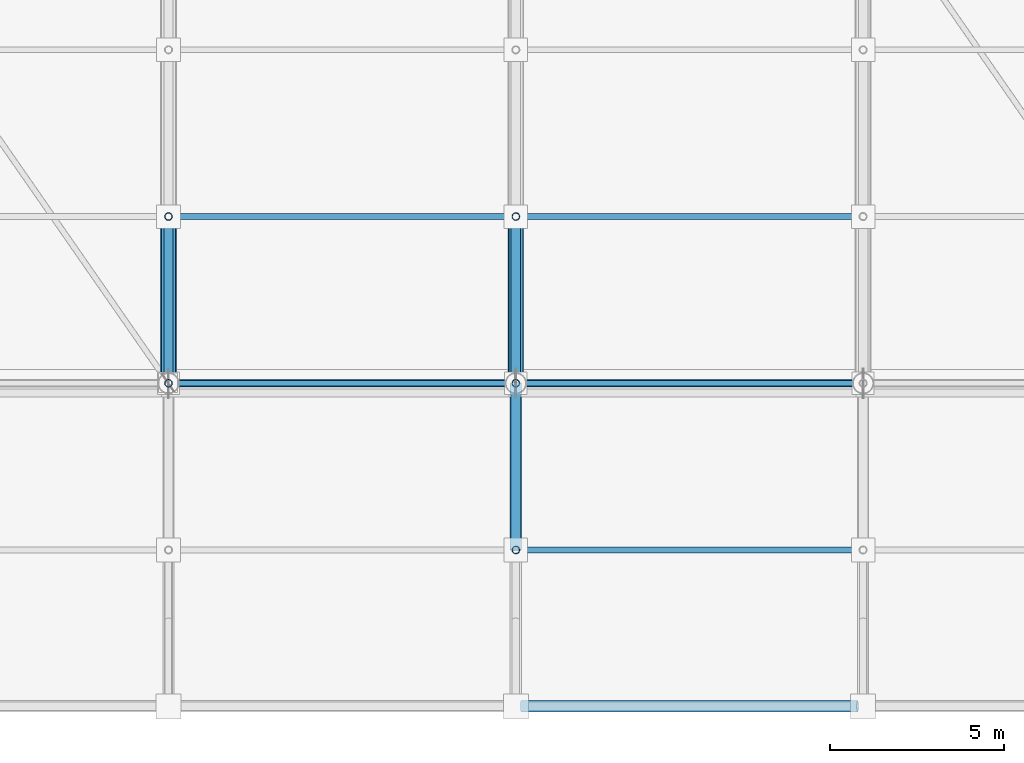
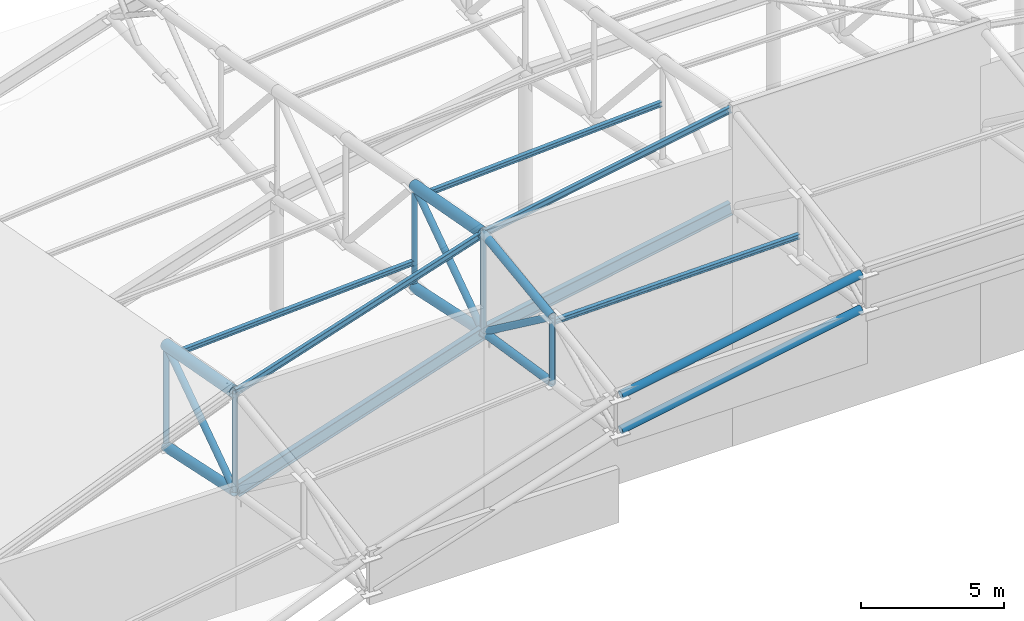
# One storey, part 29 of 146: 19 members, 4 beams.
"""IFC4 building model written with IfcOpenShell, lengths in metres."""

import ifcopenshell
import ifcopenshell.guid

model = None  # the IFC model being written
_history = None  # IfcOwnerHistory: only IFC2X3 demands one
_inside = {}  # id of a spatial element -> (the spatial element, [elements in it])
_under = {}  # id of a project, library or spatial element -> (it, [spatial elements below it])
_declared = {}  # id of a project -> (the project, [libraries it declares])
_typed = {}  # id of a type object -> (the type object, [elements of that type])
_made_of = {}  # id of a material, layer set ... -> (it, [elements and type objects made of it])


def new_model(schema):
    """Start an empty IFC model of exactly this schema.

    Asked for "IFC4X3", IfcOpenShell would pick the latest addendum, in which some entities
    have other attributes; the version numbers below select the first issue.
    IFC2X3 requires an IfcOwnerHistory on every rooted entity: one is made here for all.
    """
    global model, _history
    if schema == "IFC4X3":
        model = ifcopenshell.file(schema_version=(4, 3, 0, 0))
    else:
        model = ifcopenshell.file(schema=schema)
    _inside.clear()
    _under.clear()
    _declared.clear()
    _typed.clear()
    _made_of.clear()
    _history = None
    if model.schema == "IFC2X3":
        org = make("IfcOrganization", Name="unknown")
        user = make(
            "IfcPersonAndOrganization",
            ThePerson=make("IfcPerson", FamilyName="unknown"),
            TheOrganization=org,
        )
        app = make(
            "IfcApplication",
            ApplicationDeveloper=org,
            Version="unknown",
            ApplicationFullName="unknown",
            ApplicationIdentifier="unknown",
        )
        _history = make(
            "IfcOwnerHistory",
            OwningUser=user,
            OwningApplication=app,
            ChangeAction="ADDED",
            CreationDate=0,
        )
    return model


def make(cls, **values):
    """One entity of the class cls with the attributes given. An attribute that is None is left unset."""
    return model.create_entity(
        cls, **{name: value for name, value in values.items() if value is not None}
    )


def rooted(cls, **values):
    """An entity with a GlobalId (a new one), such as an element, a storey or a relation."""
    return make(cls, GlobalId=ifcopenshell.guid.new(), OwnerHistory=_history, **values)


def si_unit(unit_type, name, prefix=None):
    """IfcSIUnit, for example si_unit("LENGTHUNIT", "METRE", prefix="MILLI")."""
    return make("IfcSIUnit", UnitType=unit_type, Prefix=prefix, Name=name)


def assignment(units):
    """IfcUnitAssignment: the units of a project."""
    return None if units is None else make("IfcUnitAssignment", Units=units)


def point(xyz):
    """IfcCartesianPoint."""
    return None if xyz is None else make("IfcCartesianPoint", Coordinates=xyz)


def direction(xyz):
    """IfcDirection."""
    return None if xyz is None else make("IfcDirection", DirectionRatios=xyz)


def frame(location, z_axis=None, x_axis=None):
    """IfcAxis2Placement3D, a coordinate frame: its origin and axes. An axis left out is left unset."""
    return make(
        "IfcAxis2Placement3D",
        Location=point(location),
        Axis=direction(z_axis),
        RefDirection=direction(x_axis),
    )


def frame_2d(location, x_axis=None):
    """IfcAxis2Placement2D, a coordinate frame in the plane: its origin and x axis."""
    return make(
        "IfcAxis2Placement2D", Location=point(location), RefDirection=direction(x_axis)
    )


def origin():
    """The frame at (0, 0, 0) with its axes left unset."""
    return frame((0.0, 0.0, 0.0))


def origin_2d():
    """The frame at (0, 0) in the plane with its x axis left unset."""
    return frame_2d((0.0, 0.0))


def place(relative_to, where):
    """IfcLocalPlacement: puts the frame where relative to a parent placement (None: the world)."""
    return make(
        "IfcLocalPlacement", PlacementRelTo=relative_to, RelativePlacement=where
    )


def context(
    kind, dimensions, precision=None, world=None, true_north=None, identifier=None
):
    """IfcGeometricRepresentationContext, for example the 3D "Model" context."""
    return make(
        "IfcGeometricRepresentationContext",
        ContextIdentifier=identifier,
        ContextType=kind,
        CoordinateSpaceDimension=dimensions,
        Precision=precision,
        WorldCoordinateSystem=world,
        TrueNorth=true_north,
    )


def subcontext(parent, identifier, kind, view, scale=None):
    """IfcGeometricRepresentationSubContext, for example "Body" below "Model"."""
    return make(
        "IfcGeometricRepresentationSubContext",
        ContextIdentifier=identifier,
        ContextType=kind,
        ParentContext=parent,
        TargetScale=scale,
        TargetView=view,
    )


def project(units=None, contexts=None):
    """IfcProject with its units and contexts."""
    return rooted(
        "IfcProject",
        Name="project",
        RepresentationContexts=contexts,
        UnitsInContext=assignment(units),
    )


def spatial(cls, under=None, at=None, **own):
    """A site, building, storey or space (cls), placed at a placement, below another one or the project."""
    s = rooted(cls, ObjectPlacement=at, **own)
    if under is not None:
        _under.setdefault(under.id(), (under, []))[1].append(s)
    return s


def profile(cls, at=None, kind="AREA", **sizes):
    """A parametric profile (cls). Its sizes go by their IFC names, for example OverallWidth=200.0."""
    return make(cls, ProfileType=kind, Position=at, **sizes)


def hollow_circle(**sizes):
    """IfcCircleHollowProfileDef."""
    return profile("IfcCircleHollowProfileDef", **sizes)


def i_section(**sizes):
    """IfcIShapeProfileDef."""
    return profile("IfcIShapeProfileDef", **sizes)


def extrude(swept, where, along, depth):
    """IfcExtrudedAreaSolid: the profile swept, set in the frame where, extruded along a direction by depth."""
    return make(
        "IfcExtrudedAreaSolid",
        SweptArea=swept,
        Position=where,
        ExtrudedDirection=direction(along),
        Depth=depth,
    )


def shape(context_of_items, identifier, shape_type, items):
    """IfcShapeRepresentation: the items that make up one representation, for example the "Body"."""
    return make(
        "IfcShapeRepresentation",
        ContextOfItems=context_of_items,
        RepresentationIdentifier=identifier,
        RepresentationType=shape_type,
        Items=items,
    )


def material(Name=None, Category=None):
    """IfcMaterial."""
    return make("IfcMaterial", Name=Name, Category=Category)


def material_profile(
    of_material, cross_section, Name=None, Category=None, Priority=None
):
    """IfcMaterialProfile: a cross section and its material."""
    return make(
        "IfcMaterialProfile",
        Name=Name,
        Material=of_material,
        Profile=cross_section,
        Priority=Priority,
        Category=Category,
    )


def profile_set(profiles, Name=None, composite=None):
    """IfcMaterialProfileSet."""
    return make(
        "IfcMaterialProfileSet",
        Name=Name,
        MaterialProfiles=profiles,
        CompositeProfile=composite,
    )


def made_of(thing, what):
    """Note that an element or type object is made of a material, layer set ...; save() writes the relation."""
    if what is not None:
        _made_of.setdefault(what.id(), (what, []))[1].append(thing)
    return thing


def type_object(cls, material=None, **own):
    """A type object (cls), such as IfcWallType, which elements share."""
    return made_of(rooted(cls, **own), material)


def element(
    cls,
    number,
    at=None,
    inside=None,
    cuts=None,
    type_object=None,
    material=None,
    context=None,
    identifier="Body",
    shape_type=None,
    held_by="IfcProductDefinitionShape",
    body=None,
    shapes=None,
    **own,
):
    """One element of the class cls, such as IfcWall. Its Tag is "e" and its number.

    at: its placement. inside: the storey or other place that contains it. cuts: it is an
    opening in that element (IfcRelVoidsElement). A single representation is given by context,
    identifier, shape_type and body (its items); several are given by shapes. held_by: the class
    of the entity that holds the representations. save() writes the other relations.
    """
    e = rooted(cls, Tag="e%d" % number, ObjectPlacement=at, **own)
    if body is not None:
        shapes = [shape(context, identifier, shape_type, body)]
    if shapes is not None:
        e.Representation = make(held_by, Representations=shapes)
    if inside is not None:
        _inside.setdefault(inside.id(), (inside, []))[1].append(e)
    if cuts is not None:
        rooted(
            "IfcRelVoidsElement", RelatingBuildingElement=cuts, RelatedOpeningElement=e
        )
    if type_object is not None:
        _typed.setdefault(type_object.id(), (type_object, []))[1].append(e)
    return made_of(e, material)


def aggregate(whole, parts):
    """IfcRelAggregates: a whole, such as a stair, and the parts it consists of."""
    return rooted("IfcRelAggregates", RelatingObject=whole, RelatedObjects=parts)


def save(model, path):
    """Write the relations noted so far, then the file.

    IfcRelAggregates (storeys below a building ...), IfcRelContainedInSpatialStructure (elements
    in a storey), IfcRelDefinesByType, IfcRelAssociatesMaterial and IfcRelDeclares: one each for
    every whole, place, type object, material and project.
    """
    for whole, parts in _under.values():
        aggregate(whole, parts)
    for where, things in _inside.values():
        rooted(
            "IfcRelContainedInSpatialStructure",
            RelatedElements=things,
            RelatingStructure=where,
        )
    for kind, things in _typed.values():
        rooted("IfcRelDefinesByType", RelatedObjects=things, RelatingType=kind)
    for what, things in _made_of.values():
        rooted("IfcRelAssociatesMaterial", RelatedObjects=things, RelatingMaterial=what)
    for by, libraries in _declared.values():
        rooted("IfcRelDeclares", RelatingContext=by, RelatedDefinitions=libraries)
    model.write(path)


model = new_model("IFC4")

# Units and contexts
model_context = context("Model", 3, precision=1e-05, world=origin(), true_north=direction((0.0, 1.0)))
body_context = subcontext(model_context, "Body", "Model", "MODEL_VIEW")
ifc_project = project(units=[si_unit("LENGTHUNIT", "METRE"), si_unit("AREAUNIT", "SQUARE_METRE"), si_unit("VOLUMEUNIT", "CUBIC_METRE"), si_unit("PLANEANGLEUNIT", "RADIAN"), si_unit("MASSUNIT", "GRAM", prefix="KILO")], contexts=[model_context])

# Site, building, storey
site_placement = place(None, origin())
site = spatial("IfcSite", under=ifc_project, at=site_placement, CompositionType="ELEMENT")
building_placement = place(site_placement, origin())
building = spatial("IfcBuilding", under=site, at=building_placement, Name="Candeia Ridge Stadium", CompositionType="ELEMENT")
storey_placement = place(building_placement, frame((0.0, 0.0, 31.800048828125)))
storey = spatial("IfcBuildingStorey", under=building, at=storey_placement, Name="RF", CompositionType="ELEMENT", Elevation=31.800048828125)

# Beams
ifc_material = material(Name="Steel ASTM A572 Grade 50", Category="steel")
ifc_material_profile_1 = material_profile(ifc_material, i_section(OverallWidth=0.14794921875, OverallDepth=0.26611328125, WebThickness=0.007568359375, FlangeThickness=0.012939453125, FilletRadius=0.010986328125, at=origin_2d()), Name="W250x44.8", Category="steel")
ifc_profile_set_1 = profile_set([ifc_material_profile_1], Name="Steel ASTM A572 Grade 50")
beam_type_1 = type_object("IfcBeamType", Name="Canopy Edge Spandrel W250x44.8", PredefinedType="SPANDREL", material=ifc_profile_set_1)
beam_1_placement = place(storey_placement, frame((81.0380859375, 19.0, 8.69091796875), z_axis=(0.950452285368, 0.0, 0.310870476628), x_axis=(0.0, 1.0, 0.0)))
element("IfcBeam", 1, at=beam_1_placement, inside=storey, type_object=beam_type_1, Name="Roof crown cap ring beam bay 20", PredefinedType="SPANDREL", context=body_context, shape_type="SweptSolid", body=[
    extrude(i_section(OverallWidth=0.14794921875, OverallDepth=0.26611328125, WebThickness=0.007568359375, FlangeThickness=0.012939453125, FilletRadius=0.010986328125, at=origin_2d()), origin(), (0.0, 0.0, 1.0), 10.441162109375),
])
beam_2_placement = place(storey_placement, frame((91.039306640625, 19.0, 11.956298828125), z_axis=(0.983924099588, 0.0, 0.178587139095), x_axis=(0.0, 1.0, 0.0)))
element("IfcBeam", 2, at=beam_2_placement, inside=storey, type_object=beam_type_1, Name="Roof crown cap ring beam bay 21", PredefinedType="SPANDREL", context=body_context, shape_type="SweptSolid", body=[
    extrude(i_section(OverallWidth=0.14794921875, OverallDepth=0.26611328125, WebThickness=0.007568359375, FlangeThickness=0.012939453125, FilletRadius=0.010986328125, at=origin_2d()), origin(), (0.0, 0.0, 1.0), 10.08349609375),
])
ifc_material_profile_2 = material_profile(ifc_material, i_section(OverallWidth=0.2119140625, OverallDepth=0.5439453125, WebThickness=0.01318359375, FlangeThickness=0.021240234375, FilletRadius=0.013916015625, at=origin_2d()), Name="W530x123", Category="steel")
ifc_profile_set_2 = profile_set([ifc_material_profile_2], Name="Steel ASTM A572 Grade 50")
beam_type_2 = type_object("IfcBeamType", Name="Roof Perimeter Ring Beam W530x123", PredefinedType="BEAM", material=ifc_profile_set_2)
beam_3_placement = place(storey_placement, frame((81.0380859375, 19.0, 4.490966796875), z_axis=(0.950452285368, 0.0, 0.310870476628), x_axis=(0.0, 1.0, 0.0)))
element("IfcBeam", 3, at=beam_3_placement, inside=storey, type_object=beam_type_2, Name="Roof perimeter ring beam bay 20", PredefinedType="BEAM", context=body_context, shape_type="SweptSolid", body=[
    extrude(i_section(OverallWidth=0.2119140625, OverallDepth=0.5439453125, WebThickness=0.01318359375, FlangeThickness=0.021240234375, FilletRadius=0.013916015625, at=origin_2d()), origin(), (0.0, 0.0, 1.0), 10.441162109375),
])
beam_4_placement = place(storey_placement, frame((91.039306640625, 19.0, 7.75634765625), z_axis=(0.983924099588, 0.0, 0.178587139095), x_axis=(0.0, 1.0, 0.0)))
element("IfcBeam", 4, at=beam_4_placement, inside=storey, type_object=beam_type_2, Name="Roof perimeter ring beam bay 21", PredefinedType="BEAM", context=body_context, shape_type="SweptSolid", body=[
    extrude(i_section(OverallWidth=0.2119140625, OverallDepth=0.5439453125, WebThickness=0.01318359375, FlangeThickness=0.021240234375, FilletRadius=0.013916015625, at=origin_2d()), origin(), (0.0, 0.0, 1.0), 10.08349609375),
])

# Members
ifc_material_profile_3 = material_profile(ifc_material, i_section(OverallWidth=0.1650390625, OverallDepth=0.200927734375, WebThickness=0.006103515625, FlangeThickness=0.01025390625, FilletRadius=0.010009765625, at=origin_2d()), Name="W200x35.9", Category="steel")
ifc_profile_set_3 = profile_set([ifc_material_profile_3], Name="Steel ASTM A572 Grade 50")
member_type_1 = type_object("IfcMemberType", Name="Roof Purlin W200x35.9", PredefinedType="PURLIN", material=ifc_profile_set_3)
for number, where, z_axis, x_axis, name in (
    (5, (81.0498046875, 23.800048828125, 7.273193359375), (0.998435557369, 0.0, 0.055914557871), (0.0, 1.0, 0.0), "Saddle roof steel purlin bay 20-4"),
    (6, (91.0498046875, 23.800048828125, 10.5439453125), (0.998435557369, 0.0, 0.055914557871), (0.0, 1.0, 0.0), "Saddle roof steel purlin bay 21-4"),
):
    element("IfcMember", number, at=place(storey_placement, frame(where, z_axis=z_axis, x_axis=x_axis)), inside=storey, type_object=member_type_1, Name=name, PredefinedType="PURLIN", context=body_context, shape_type="SweptSolid", body=[
        extrude(i_section(OverallWidth=0.1650390625, OverallDepth=0.200927734375, WebThickness=0.006103515625, FlangeThickness=0.01025390625, FilletRadius=0.010009765625, at=origin_2d()), origin(), (0.0, 0.0, 1.0), 9.916015625),
    ])
member_1_placement = place(storey_placement, frame((91.050048828125, 14.199951171875, 11.088623046875), z_axis=(0.999812193326, 0.0, 0.019379836842), x_axis=(0.0, 1.0, 0.0)))
element("IfcMember", 7, at=member_1_placement, inside=storey, type_object=member_type_1, Name="Saddle roof steel purlin bay 21-5", PredefinedType="PURLIN", context=body_context, shape_type="SweptSolid", body=[
    extrude(i_section(OverallWidth=0.1650390625, OverallDepth=0.200927734375, WebThickness=0.006103515625, FlangeThickness=0.01025390625, FilletRadius=0.010009765625, at=origin_2d()), origin(), (0.0, 0.0, 1.0), 9.90185546875),
])
ifc_material_profile_4 = material_profile(ifc_material, hollow_circle(Radius=0.161865234375, WallThickness=0.012451171875, at=origin_2d()), Name="CHS323x12", Category="steel")
ifc_profile_set_4 = profile_set([ifc_material_profile_4], Name="Steel ASTM A572 Grade 50")
member_type_2 = type_object("IfcMemberType", Name="Roof Truss Eaves Chord CHS323x12", PredefinedType="CHORD", material=ifc_profile_set_4)
member_2_placement = place(storey_placement, frame((91.0, 19.0, 11.94921875), z_axis=(0.0, -0.991184698971, -0.132487329683), x_axis=(1.0, 0.0, 0.0)))
element("IfcMember", 8, at=member_2_placement, inside=storey, type_object=member_type_2, Name="Roof cantilever truss RT-21 top chord 7", PredefinedType="CHORD", context=body_context, shape_type="SweptSolid", body=[
    extrude(hollow_circle(Radius=0.161865234375, WallThickness=0.012451171875, at=origin_2d()), origin(), (0.0, 0.0, 1.0), 4.8427734375),
])
member_3_placement = place(storey_placement, frame((91.0, 19.0, 7.749267578125), z_axis=(0.0, -0.987958563397, 0.154718702848), x_axis=(1.0, 0.0, 0.0)))
element("IfcMember", 9, at=member_3_placement, inside=storey, type_object=member_type_2, Name="Roof cantilever truss RT-21 bottom chord 7", PredefinedType="CHORD", context=body_context, shape_type="SweptSolid", body=[
    extrude(hollow_circle(Radius=0.161865234375, WallThickness=0.012451171875, at=origin_2d()), origin(), (0.0, 0.0, 1.0), 4.858642578125),
])
for number, where, z_axis, x_axis, name in (
    (10, (91.157470703125, 9.699951171875, 10.65869140625), (0.983921062478, 0.0, 0.17860387121), (0.0, 1.0, 0.0), "Saddle roof outer eaves top ring chord bay 21"),
    (11, (91.157470703125, 9.699951171875, 9.15869140625), (0.983921062478, 0.0, 0.17860387121), (0.0, 1.0, 0.0), "Saddle roof outer eaves bottom ring chord bay 21"),
):
    element("IfcMember", number, at=place(storey_placement, frame(where, z_axis=z_axis, x_axis=x_axis)), inside=storey, type_object=member_type_2, Name=name, PredefinedType="CHORD", context=body_context, shape_type="SweptSolid", body=[
        extrude(hollow_circle(Radius=0.161865234375, WallThickness=0.012451171875, at=origin_2d()), origin(), (0.0, 0.0, 1.0), 9.84326171875),
    ])
ifc_material_profile_5 = material_profile(ifc_material, hollow_circle(Radius=0.136474609375, WallThickness=0.010009765625, at=origin_2d()), Name="CHS273x10", Category="steel")
ifc_profile_set_5 = profile_set([ifc_material_profile_5], Name="Steel ASTM A572 Grade 50")
member_type_3 = type_object("IfcMemberType", Name="Roof Truss Heavy Web Brace CHS273x10", PredefinedType="BRACE", material=ifc_profile_set_5)
member_4_placement = place(storey_placement, frame((81.0, 23.800048828125, 7.79052734375), z_axis=(0.0, -0.823081876777, -0.567922727245), x_axis=(1.0, 0.0, 0.0)))
element("IfcMember", 12, at=member_4_placement, inside=storey, type_object=member_type_3, Name="Roof cantilever truss RT-20 diagonal web 6", PredefinedType="BRACE", context=body_context, shape_type="SweptSolid", body=[
    extrude(hollow_circle(Radius=0.136474609375, WallThickness=0.010009765625, at=origin_2d()), origin(), (0.0, 0.0, 1.0), 5.831787109375),
])
member_5_placement = place(storey_placement, frame((91.0, 23.800048828125, 11.06103515625), z_axis=(0.0, -0.823101445803, -0.567894365104), x_axis=(1.0, 0.0, 0.0)))
element("IfcMember", 13, at=member_5_placement, inside=storey, type_object=member_type_3, Name="Roof cantilever truss RT-21 diagonal web 6", PredefinedType="BRACE", context=body_context, shape_type="SweptSolid", body=[
    extrude(hollow_circle(Radius=0.136474609375, WallThickness=0.010009765625, at=origin_2d()), origin(), (0.0, 0.0, 1.0), 5.83154296875),
])
member_6_placement = place(storey_placement, frame((91.0, 19.0, 7.749267578125), z_axis=(0.0, -0.803336374347, 0.595525540721), x_axis=(1.0, 0.0, 0.0)))
element("IfcMember", 14, at=member_6_placement, inside=storey, type_object=member_type_3, Name="Roof cantilever truss RT-21 diagonal web 7", PredefinedType="BRACE", context=body_context, shape_type="SweptSolid", body=[
    extrude(hollow_circle(Radius=0.136474609375, WallThickness=0.010009765625, at=origin_2d()), origin(), (0.0, 0.0, 1.0), 5.97509765625),
])
ifc_material_profile_6 = material_profile(ifc_material, hollow_circle(Radius=0.109619140625, WallThickness=0.010009765625, at=origin_2d()), Name="CHS219x10", Category="steel")
ifc_profile_set_6 = profile_set([ifc_material_profile_6], Name="Steel ASTM A572 Grade 50")
member_type_4 = type_object("IfcMemberType", Name="Roof Truss Inner Web Brace CHS219x10", PredefinedType="BRACE", material=ifc_profile_set_6)
member_7_placement = place(storey_placement, frame((81.0, 23.800048828125, 3.45703125), z_axis=(0.0, 0.0, 1.0), x_axis=(1.0, 0.0, 0.0)))
element("IfcMember", 15, at=member_7_placement, inside=storey, type_object=member_type_4, Name="Roof cantilever truss RT-20 vertical post 5", PredefinedType="BRACE", context=body_context, shape_type="SweptSolid", body=[
    extrude(hollow_circle(Radius=0.109619140625, WallThickness=0.010009765625, at=origin_2d()), origin(), (0.0, 0.0, 1.0), 4.33349609375),
])
member_8_placement = place(storey_placement, frame((81.0, 19.0, 4.478515625), z_axis=(0.0, 0.0, 1.0), x_axis=(1.0, 0.0, 0.0)))
element("IfcMember", 16, at=member_8_placement, inside=storey, type_object=member_type_4, Name="Roof cantilever truss RT-20 vertical post 6", PredefinedType="BRACE", context=body_context, shape_type="SweptSolid", body=[
    extrude(hollow_circle(Radius=0.109619140625, WallThickness=0.010009765625, at=origin_2d()), origin(), (0.0, 0.0, 1.0), 4.199951171875),
])
member_9_placement = place(storey_placement, frame((91.0, 23.800048828125, 6.727783203125), z_axis=(0.0, 0.0, 1.0), x_axis=(1.0, 0.0, 0.0)))
element("IfcMember", 17, at=member_9_placement, inside=storey, type_object=member_type_4, Name="Roof cantilever truss RT-21 vertical post 5", PredefinedType="BRACE", context=body_context, shape_type="SweptSolid", body=[
    extrude(hollow_circle(Radius=0.109619140625, WallThickness=0.010009765625, at=origin_2d()), origin(), (0.0, 0.0, 1.0), 4.333251953125),
])
member_10_placement = place(storey_placement, frame((91.0, 19.0, 7.749267578125), z_axis=(0.0, 0.0, 1.0), x_axis=(1.0, 0.0, 0.0)))
element("IfcMember", 18, at=member_10_placement, inside=storey, type_object=member_type_4, Name="Roof cantilever truss RT-21 vertical post 6", PredefinedType="BRACE", context=body_context, shape_type="SweptSolid", body=[
    extrude(hollow_circle(Radius=0.109619140625, WallThickness=0.010009765625, at=origin_2d()), origin(), (0.0, 0.0, 1.0), 4.199951171875),
])
member_11_placement = place(storey_placement, frame((91.0, 14.199951171875, 8.5009765625), z_axis=(0.0, 0.0, 1.0), x_axis=(1.0, 0.0, 0.0)))
element("IfcMember", 19, at=member_11_placement, inside=storey, type_object=member_type_4, Name="Roof cantilever truss RT-21 vertical post 7", PredefinedType="BRACE", context=body_context, shape_type="SweptSolid", body=[
    extrude(hollow_circle(Radius=0.109619140625, WallThickness=0.010009765625, at=origin_2d()), origin(), (0.0, 0.0, 1.0), 2.806640625),
])
ifc_material_profile_7 = material_profile(ifc_material, hollow_circle(Radius=0.228515625, WallThickness=0.02001953125, at=origin_2d()), Name="CHS457x20", Category="steel")
ifc_profile_set_7 = profile_set([ifc_material_profile_7], Name="Steel ASTM A572 Grade 50")
member_type_5 = type_object("IfcMemberType", Name="Roof Truss Main Chord CHS457x20", PredefinedType="CHORD", material=ifc_profile_set_7)
for number, where, z_axis, x_axis, name in (
    (20, (81.0, 23.800048828125, 7.79052734375), (0.0, -0.983317142098, 0.181899417416), (1.0, 0.0, 0.0), "Roof cantilever truss RT-20 top chord 6"),
    (21, (91.0, 23.800048828125, 11.06103515625), (0.0, -0.983308195319, 0.181947775524), (1.0, 0.0, 0.0), "Roof cantilever truss RT-21 top chord 6"),
):
    element("IfcMember", number, at=place(storey_placement, frame(where, z_axis=z_axis, x_axis=x_axis)), inside=storey, type_object=member_type_5, Name=name, PredefinedType="CHORD", context=body_context, shape_type="SweptSolid", body=[
        extrude(hollow_circle(Radius=0.228515625, WallThickness=0.02001953125, at=origin_2d()), origin(), (0.0, 0.0, 1.0), 4.881591796875),
    ])
ifc_material_profile_8 = material_profile(ifc_material, hollow_circle(Radius=0.202880859375, WallThickness=0.01611328125, at=origin_2d()), Name="CHS406x16", Category="steel")
ifc_profile_set_8 = profile_set([ifc_material_profile_8], Name="Steel ASTM A572 Grade 50")
member_type_6 = type_object("IfcMemberType", Name="Roof Truss Outer Chord CHS406x16", PredefinedType="CHORD", material=ifc_profile_set_8)
for number, where, z_axis, x_axis, name in (
    (22, (81.0, 23.800048828125, 3.45703125), (0.0, -0.978097741011, 0.208146124225), (1.0, 0.0, 0.0), "Roof cantilever truss RT-20 bottom chord 6"),
    (23, (91.0, 23.800048828125, 6.727783203125), (0.0, -0.978097741011, 0.208146124225), (1.0, 0.0, 0.0), "Roof cantilever truss RT-21 bottom chord 6"),
):
    element("IfcMember", number, at=place(storey_placement, frame(where, z_axis=z_axis, x_axis=x_axis)), inside=storey, type_object=member_type_6, Name=name, PredefinedType="CHORD", context=body_context, shape_type="SweptSolid", body=[
        extrude(hollow_circle(Radius=0.202880859375, WallThickness=0.01611328125, at=origin_2d()), origin(), (0.0, 0.0, 1.0), 4.907470703125),
    ])

save(model, "model.ifc")
